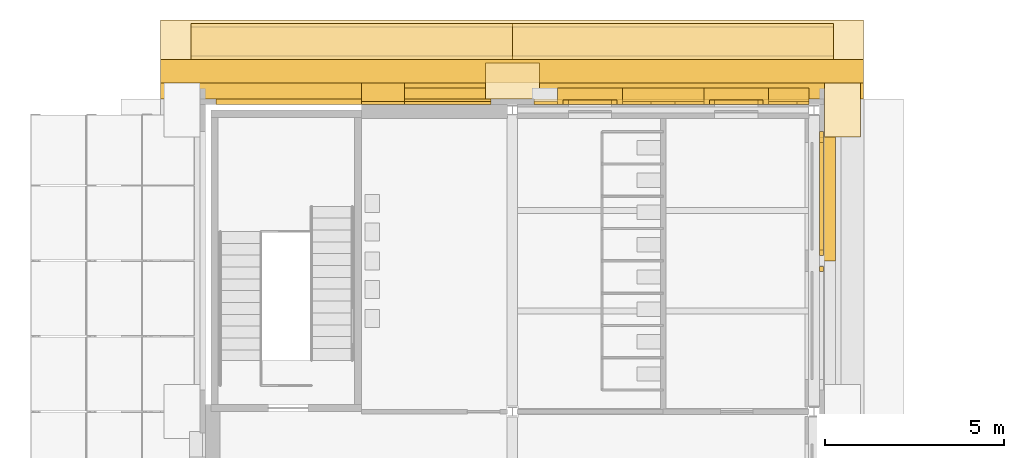
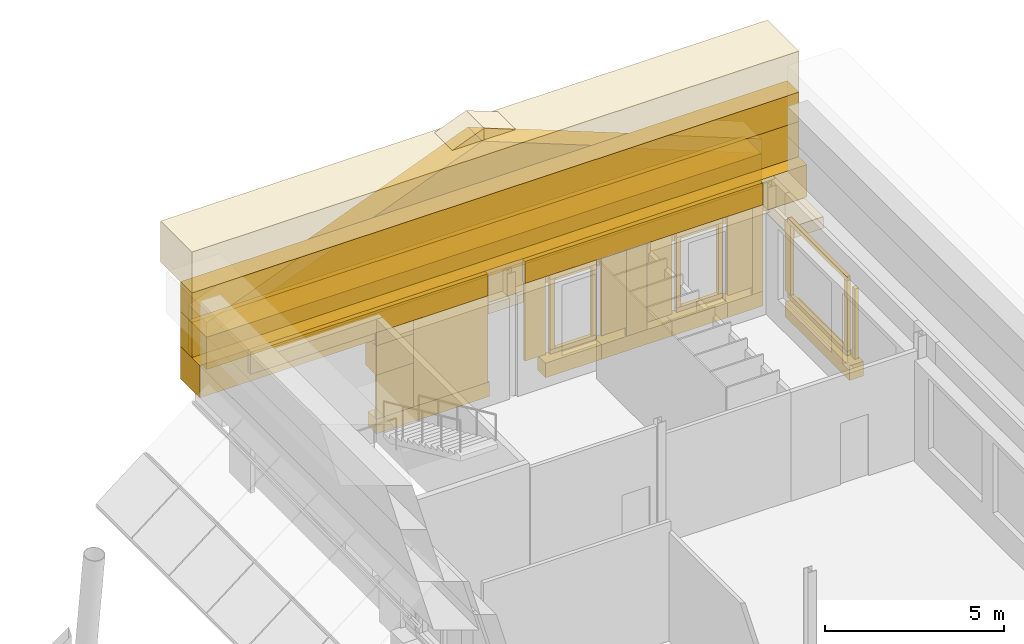
# One storey, part 73 of 76: 41 coverings.
"""IFC4 building model written with IfcOpenShell, lengths in metres."""

from ifc_helpers import new_model, si_unit, direction, frame, origin, origin_2d, place, context, subcontext, project, spatial, polyline, rectangle, outline, extrude, material, layer, layer_set, type_object, element, save


model = new_model("IFC4")

# Units and contexts
model_context = context("Model", 3, precision=1e-05, world=origin(), true_north=direction((0.0, 1.0)))
body_context = subcontext(model_context, "Body", "Model", "MODEL_VIEW")
ifc_project = project(units=[si_unit("LENGTHUNIT", "METRE"), si_unit("AREAUNIT", "SQUARE_METRE"), si_unit("VOLUMEUNIT", "CUBIC_METRE"), si_unit("PLANEANGLEUNIT", "RADIAN"), si_unit("MASSUNIT", "GRAM", prefix="KILO")], contexts=[model_context])

# Site, building, storey
site_placement = place(None, origin())
site = spatial("IfcSite", under=ifc_project, at=site_placement, CompositionType="ELEMENT")
building_placement = place(site_placement, origin())
building = spatial("IfcBuilding", under=site, at=building_placement, Name="Sava Quay Ferry Terminal", CompositionType="ELEMENT")
storey_placement = place(building_placement, frame((0.0, 0.0, 10.800048828125)))
storey = spatial("IfcBuildingStorey", under=building, at=storey_placement, Name="L02", CompositionType="ELEMENT", Elevation=10.800048828125)

# Coverings
ifc_material_1 = material(Name="Limestone Mutalj", Category="masonry")
ifc_layer_1 = layer(ifc_material_1, 1.75)
ifc_layer_set_1 = layer_set([ifc_layer_1], Name="Limestone Mutalj")
covering_type_1 = type_object("IfcCoveringType", Name="Attic crown cornice 1400", PredefinedType="MOLDING", material=ifc_layer_set_1)
covering_1_placement = place(storey_placement, frame((100.7900390625, 110.8349609375, 6.39990234375), z_axis=(0.0, 0.0, 1.0), x_axis=(1.0, 0.0, 0.0)))
element("IfcCovering", 1, at=covering_1_placement, inside=storey, type_object=covering_type_1, Name="Attic crown cornice", PredefinedType="MOLDING", context=body_context, shape_type="SweptSolid", body=[
    extrude(rectangle(XDim=19.580078125, YDim=1.75, at=origin_2d()), origin(), (0.0, 0.0, 1.0), 1.39990234375),
])
ifc_material_2 = material(Name="Limestone Mutalj", Category="masonry")
ifc_layer_2 = layer(ifc_material_2, 0.64990234375)
ifc_layer_set_2 = layer_set([ifc_layer_2], Name="Limestone Mutalj")
covering_type_2 = type_object("IfcCoveringType", Name="Attic frieze 1000", PredefinedType="CLADDING", material=ifc_layer_set_2)
covering_2_placement = place(storey_placement, frame((100.7900390625, 110.284912109375, 5.39990234375), z_axis=(0.0, 0.0, 1.0), x_axis=(1.0, 0.0, 0.0)))
element("IfcCovering", 2, at=covering_2_placement, inside=storey, type_object=covering_type_2, Name="Attic frieze", PredefinedType="CLADDING", context=body_context, shape_type="SweptSolid", body=[
    extrude(rectangle(XDim=19.580078125, YDim=0.64990234375, at=origin_2d()), origin(), (0.0, 0.0, 1.0), 1.0),
])
ifc_material_3 = material(Name="Limestone Mutalj", Category="masonry")
ifc_layer_3 = layer(ifc_material_3, 0.64990234375)
ifc_layer_set_3 = layer_set([ifc_layer_3], Name="Limestone Mutalj")
covering_type_3 = type_object("IfcCoveringType", Name="Attic parapet 650", PredefinedType="MOLDING", material=ifc_layer_set_3)
covering_3_placement = place(storey_placement, frame((100.7900390625, 110.284912109375, 4.2001953125), z_axis=(0.0, 0.0, 1.0), x_axis=(1.0, 0.0, 0.0)))
element("IfcCovering", 3, at=covering_3_placement, inside=storey, type_object=covering_type_3, Name="Attic parapet O N", PredefinedType="MOLDING", context=body_context, shape_type="SweptSolid", body=[
    extrude(rectangle(XDim=19.580078125, YDim=0.64990234375, at=origin_2d()), origin(), (0.0, 0.0, 1.0), 1.199951171875),
])
ifc_material_4 = material(Name="Limestone Mutalj", Category="masonry")
ifc_layer_4 = layer(ifc_material_4, 0.60009765625)
ifc_layer_set_4 = layer_set([ifc_layer_4], Name="Limestone Mutalj")
covering_type_4 = type_object("IfcCoveringType", Name="Corner quoin block 1200", PredefinedType="CLADDING", material=ifc_layer_set_4)
covering_4_placement = place(storey_placement, frame((97.199951171875, 109.659912109375, 2.0), z_axis=(0.0, 0.0, 1.0), x_axis=(1.0, 0.0, 0.0)))
element("IfcCovering", 4, at=covering_4_placement, inside=storey, type_object=covering_type_4, Name="Corner quoin block", PredefinedType="CLADDING", context=body_context, shape_type="SweptSolid", body=[
    extrude(rectangle(XDim=1.199951171875, YDim=0.60009765625, at=origin_2d()), origin(), (0.0, 0.0, 1.0), 1.0),
])
ifc_material_5 = material(Name="Limestone Mutalj", Category="masonry")
ifc_layer_5 = layer(ifc_material_5, 1.10009765625)
ifc_layer_set_5 = layer_set([ifc_layer_5], Name="Limestone Mutalj")
covering_type_5 = type_object("IfcCoveringType", Name="Eaves cornice 1100", PredefinedType="MOLDING", material=ifc_layer_set_5)
covering_5_placement = place(storey_placement, frame((100.7900390625, 110.06005859375, 3.099853515625), z_axis=(0.0, 0.0, 1.0), x_axis=(1.0, 0.0, 0.0)))
element("IfcCovering", 5, at=covering_5_placement, inside=storey, type_object=covering_type_5, Name="Eaves cornice O N", PredefinedType="MOLDING", context=body_context, shape_type="SweptSolid", body=[
    extrude(rectangle(XDim=19.580078125, YDim=1.10009765625, at=origin_2d()), origin(), (0.0, 0.0, 1.0), 1.10009765625),
])
ifc_material_6 = material(Name="Limestone Mutalj", Category="masonry")
ifc_layer_6 = layer(ifc_material_6, 0.080078125)
ifc_layer_set_6 = layer_set([ifc_layer_6], Name="Limestone Mutalj")
covering_type_6 = type_object("IfcCoveringType", Name="Light stone cladding 80", PredefinedType="CLADDING", material=ifc_layer_set_6)
covering_6_placement = place(storey_placement, frame((97.199951171875, 109.39990234375, 0.5), z_axis=(0.0, 0.0, 1.0), x_axis=(1.0, 0.0, 0.0)))
element("IfcCovering", 6, at=covering_6_placement, inside=storey, type_object=covering_type_6, Name="Light stone cladding", PredefinedType="CLADDING", context=body_context, shape_type="SweptSolid", body=[
    extrude(rectangle(XDim=1.199951171875, YDim=0.080078125, at=origin_2d()), origin(), (0.0, 0.0, 1.0), 1.5),
])
covering_7_placement = place(storey_placement, frame((97.199951171875, 109.39990234375, 3.0), z_axis=(0.0, 0.0, 1.0), x_axis=(1.0, 0.0, 0.0)))
element("IfcCovering", 7, at=covering_7_placement, inside=storey, type_object=covering_type_6, Name="Light stone cladding", PredefinedType="CLADDING", context=body_context, shape_type="SweptSolid", body=[
    extrude(rectangle(XDim=1.199951171875, YDim=0.080078125, at=origin_2d()), origin(), (0.0, 0.0, 1.0), 0.449951171875),
])
covering_8_placement = place(storey_placement, frame((99.0, 109.39990234375, 0.5), z_axis=(0.0, 0.0, 1.0), x_axis=(1.0, 0.0, 0.0)))
element("IfcCovering", 8, at=covering_8_placement, inside=storey, type_object=covering_type_6, Name="Light stone cladding", PredefinedType="CLADDING", context=body_context, shape_type="SweptSolid", body=[
    extrude(rectangle(XDim=2.39990234375, YDim=0.080078125, at=origin_2d()), origin(), (0.0, 0.0, 1.0), 2.949951171875),
])
covering_9_placement = place(storey_placement, frame((101.731201171875, 109.39990234375, 0.800048828125), z_axis=(0.0, 0.0, 1.0), x_axis=(1.0, 0.0, 0.0)))
element("IfcCovering", 9, at=covering_9_placement, inside=storey, type_object=covering_type_6, Name="Light stone cladding", PredefinedType="CLADDING", context=body_context, shape_type="SweptSolid", body=[
    extrude(rectangle(XDim=0.66259765625, YDim=0.080078125, at=origin_2d()), origin(), (0.0, 0.0, 1.0), 2.64990234375),
])
covering_10_placement = place(storey_placement, frame((104.265625, 109.39990234375, 0.800048828125), z_axis=(0.0, 0.0, 1.0), x_axis=(1.0, 0.0, 0.0)))
element("IfcCovering", 10, at=covering_10_placement, inside=storey, type_object=covering_type_6, Name="Light stone cladding", PredefinedType="CLADDING", context=body_context, shape_type="SweptSolid", body=[
    extrude(rectangle(XDim=0.80615234375, YDim=0.080078125, at=origin_2d()), origin(), (0.0, 0.0, 1.0), 2.64990234375),
])
covering_11_placement = place(storey_placement, frame((105.0, 109.39990234375, 0.5), z_axis=(0.0, 0.0, 1.0), x_axis=(1.0, 0.0, 0.0)))
element("IfcCovering", 11, at=covering_11_placement, inside=storey, type_object=covering_type_6, Name="Light stone cladding", PredefinedType="CLADDING", context=body_context, shape_type="SweptSolid", body=[
    extrude(rectangle(XDim=0.66259765625, YDim=0.080078125, at=origin_2d()), origin(), (0.0, 0.0, 1.0), 2.949951171875),
])
covering_12_placement = place(storey_placement, frame((105.734375, 109.39990234375, 0.75), z_axis=(0.0, 0.0, 1.0), x_axis=(1.0, 0.0, 0.0)))
element("IfcCovering", 12, at=covering_12_placement, inside=storey, type_object=covering_type_6, Name="Light stone cladding", PredefinedType="CLADDING", context=body_context, shape_type="SweptSolid", body=[
    extrude(rectangle(XDim=0.80615234375, YDim=0.080078125, at=origin_2d()), origin(), (0.0, 0.0, 1.0), 2.699951171875),
])
covering_13_placement = place(storey_placement, frame((108.33447265625, 109.39990234375, 0.75), z_axis=(0.0, 0.0, 1.0), x_axis=(1.0, 0.0, 0.0)))
element("IfcCovering", 13, at=covering_13_placement, inside=storey, type_object=covering_type_6, Name="Light stone cladding", PredefinedType="CLADDING", context=body_context, shape_type="SweptSolid", body=[
    extrude(rectangle(XDim=0.793701171875, YDim=0.080078125, at=origin_2d()), origin(), (0.0, 0.0, 1.0), 2.699951171875),
])
covering_14_placement = place(storey_placement, frame((108.900634765625, 109.39990234375, 0.5), z_axis=(0.0, 0.0, 1.0), x_axis=(1.0, 0.0, 0.0)))
element("IfcCovering", 14, at=covering_14_placement, inside=storey, type_object=covering_type_6, Name="Light stone cladding", PredefinedType="CLADDING", context=body_context, shape_type="SweptSolid", body=[
    extrude(rectangle(XDim=0.338623046875, YDim=0.080078125, at=origin_2d()), origin(), (0.0, 0.0, 1.0), 2.949951171875),
])
ifc_material_7 = material(Name="Limestone Mutalj", Category="masonry")
ifc_layer_7 = layer(ifc_material_7, 0.14990234375)
ifc_layer_set_7 = layer_set([ifc_layer_7], Name="Limestone Mutalj")
covering_type_7 = type_object("IfcCoveringType", Name="Limestone string course 150", PredefinedType="CLADDING", material=ifc_layer_set_7)
covering_15_placement = place(storey_placement, frame((0.0, 0.0, 3.449951171875)))
element("IfcCovering", 15, at=covering_15_placement, inside=storey, type_object=covering_type_7, Name="String course O-N", PredefinedType="CLADDING", context=body_context, shape_type="SweptSolid", body=[
    extrude(outline(polyline([(92.550048828125, 109.360107421875), (100.199951171875, 109.360107421875), (100.199951171875, 109.510009765625), (92.550048828125, 109.510009765625), (92.550048828125, 109.360107421875)])), origin(), (0.0, 0.0, 1.0), 0.75),
])
covering_16_placement = place(storey_placement, frame((0.0, 0.0, 3.449951171875)))
element("IfcCovering", 16, at=covering_16_placement, inside=storey, type_object=covering_type_7, Name="String course O-N", PredefinedType="CLADDING", context=body_context, shape_type="SweptSolid", body=[
    extrude(outline(polyline([(101.39990234375, 109.360107421875), (109.070068359375, 109.360107421875), (109.070068359375, 109.510009765625), (101.39990234375, 109.510009765625), (101.39990234375, 109.360107421875)])), origin(), (0.0, 0.0, 1.0), 0.75),
])
ifc_material_8 = material(Name="Limestone Mutalj", Category="masonry")
ifc_layer_8 = layer(ifc_material_8, 1.0)
ifc_layer_set_8 = layer_set([ifc_layer_8], Name="Limestone Mutalj")
covering_type_8 = type_object("IfcCoveringType", Name="Pilaster capital block 1500", PredefinedType="MOLDING", material=ifc_layer_set_8)
covering_17_placement = place(storey_placement, frame((110.0, 109.199951171875, 2.699951171875), z_axis=(0.0, 0.0, 1.0), x_axis=(1.0, 0.0, 0.0)))
element("IfcCovering", 17, at=covering_17_placement, inside=storey, type_object=covering_type_8, Name="Giant-order capital", PredefinedType="MOLDING", context=body_context, shape_type="SweptSolid", body=[
    extrude(rectangle(XDim=1.0, YDim=1.5, at=origin_2d()), origin(), (0.0, 0.0, 1.0), 0.39990234375),
])
covering_18_placement = place(storey_placement, frame((100.800048828125, 110.010009765625, 2.699951171875), z_axis=(0.0, 0.0, 1.0), x_axis=(1.0, 0.0, 0.0)))
element("IfcCovering", 18, at=covering_18_placement, inside=storey, type_object=covering_type_8, Name="Giant-order capital", PredefinedType="MOLDING", context=body_context, shape_type="SweptSolid", body=[
    extrude(rectangle(XDim=1.5, YDim=1.0, at=origin_2d()), origin(), (0.0, 0.0, 1.0), 0.39990234375),
])
ifc_material_9 = material(Name="Limestone Mutalj", Category="masonry")
ifc_layer_9 = layer(ifc_material_9, 0.1201171875)
ifc_layer_set_9 = layer_set([ifc_layer_9], Name="Limestone Mutalj")
covering_type_9 = type_object("IfcCoveringType", Name="Plain window architrave 150", PredefinedType="MOLDING", material=ifc_layer_set_9)
for number, where, z_axis, x_axis, name in (
    (19, (109.409912109375, 104.77490234375, 0.89990234375), (0.0, 0.0, 1.0), (1.0, 0.0, 0.0), "Plain window architrave"),
    (20, (109.409912109375, 105.22509765625, 0.89990234375), (0.0, 0.0, 1.0), (1.0, 0.0, 0.0), "Plain window architrave"),
):
    element("IfcCovering", number, at=place(storey_placement, frame(where, z_axis=z_axis, x_axis=x_axis)), inside=storey, type_object=covering_type_9, Name=name, PredefinedType="MOLDING", context=body_context, shape_type="SweptSolid", body=[
        extrude(rectangle(XDim=0.1201171875, YDim=0.14990234375, at=origin_2d()), origin(), (0.0, 0.0, 1.0), 2.39990234375),
    ])
covering_19_placement = place(storey_placement, frame((109.409912109375, 108.449951171875, 0.89990234375), z_axis=(0.0, 0.0, 1.0), x_axis=(1.0, 0.0, 0.0)))
element("IfcCovering", 21, at=covering_19_placement, inside=storey, type_object=covering_type_9, Name="Plain window architrave", PredefinedType="MOLDING", context=body_context, shape_type="SweptSolid", body=[
    extrude(rectangle(XDim=0.1201171875, YDim=0.300048828125, at=origin_2d()), origin(), (0.0, 0.0, 1.0), 2.39990234375),
])
for number, where, z_axis, x_axis, name in (
    (22, (109.409912109375, 106.800048828125, 3.300048828125), (0.0, 0.0, 1.0), (1.0, 0.0, 0.0), "Plain window architrave"),
    (23, (109.409912109375, 106.800048828125, 0.75), (0.0, 0.0, 1.0), (1.0, 0.0, 0.0), "Plain window architrave"),
):
    element("IfcCovering", number, at=place(storey_placement, frame(where, z_axis=z_axis, x_axis=x_axis)), inside=storey, type_object=covering_type_9, Name=name, PredefinedType="MOLDING", context=body_context, shape_type="SweptSolid", body=[
        extrude(rectangle(XDim=0.1201171875, YDim=3.300048828125, at=origin_2d()), origin(), (0.0, 0.0, 1.0), 0.14990234375),
    ])
for number, where, z_axis, x_axis, name in (
    (24, (102.28759765625, 109.419921875, 0.89990234375), (0.0, 0.0, 1.0), (1.0, 0.0, 0.0), "Plain window architrave"),
    (25, (103.637451171875, 109.419921875, 0.89990234375), (0.0, 0.0, 1.0), (1.0, 0.0, 0.0), "Plain window architrave"),
):
    element("IfcCovering", number, at=place(storey_placement, frame(where, z_axis=z_axis, x_axis=x_axis)), inside=storey, type_object=covering_type_9, Name=name, PredefinedType="MOLDING", context=body_context, shape_type="SweptSolid", body=[
        extrude(rectangle(XDim=0.14990234375, YDim=0.1201171875, at=origin_2d()), origin(), (0.0, 0.0, 1.0), 2.39990234375),
    ])
for number, where, z_axis, x_axis, name in (
    (26, (102.96240234375, 109.419921875, 3.300048828125), (0.0, 0.0, 1.0), (1.0, 0.0, 0.0), "Plain window architrave"),
    (27, (102.96240234375, 109.419921875, 0.75), (0.0, 0.0, 1.0), (1.0, 0.0, 0.0), "Plain window architrave"),
):
    element("IfcCovering", number, at=place(storey_placement, frame(where, z_axis=z_axis, x_axis=x_axis)), inside=storey, type_object=covering_type_9, Name=name, PredefinedType="MOLDING", context=body_context, shape_type="SweptSolid", body=[
        extrude(rectangle(XDim=1.5, YDim=0.1201171875, at=origin_2d()), origin(), (0.0, 0.0, 1.0), 0.14990234375),
    ])
for number, where, z_axis, x_axis, name in (
    (28, (106.362548828125, 109.419921875, 0.89990234375), (0.0, 0.0, 1.0), (1.0, 0.0, 0.0), "Plain window architrave"),
    (29, (107.71240234375, 109.419921875, 0.89990234375), (0.0, 0.0, 1.0), (1.0, 0.0, 0.0), "Plain window architrave"),
):
    element("IfcCovering", number, at=place(storey_placement, frame(where, z_axis=z_axis, x_axis=x_axis)), inside=storey, type_object=covering_type_9, Name=name, PredefinedType="MOLDING", context=body_context, shape_type="SweptSolid", body=[
        extrude(rectangle(XDim=0.14990234375, YDim=0.1201171875, at=origin_2d()), origin(), (0.0, 0.0, 1.0), 2.39990234375),
    ])
for number, where, z_axis, x_axis, name in (
    (30, (107.03759765625, 109.419921875, 3.300048828125), (0.0, 0.0, 1.0), (1.0, 0.0, 0.0), "Plain window architrave"),
    (31, (107.03759765625, 109.419921875, 0.75), (0.0, 0.0, 1.0), (1.0, 0.0, 0.0), "Plain window architrave"),
):
    element("IfcCovering", number, at=place(storey_placement, frame(where, z_axis=z_axis, x_axis=x_axis)), inside=storey, type_object=covering_type_9, Name=name, PredefinedType="MOLDING", context=body_context, shape_type="SweptSolid", body=[
        extrude(rectangle(XDim=1.5, YDim=0.1201171875, at=origin_2d()), origin(), (0.0, 0.0, 1.0), 0.14990234375),
    ])
ifc_material_10 = material(Name="Limestone Mutalj", Category="masonry")
ifc_layer_10 = layer(ifc_material_10, 1.0)
ifc_layer_set_10 = layer_set([ifc_layer_10], Name="Limestone Mutalj")
covering_type_10 = type_object("IfcCoveringType", Name="Portico entablature 1000", PredefinedType="MOLDING", material=ifc_layer_set_10)
covering_20_placement = place(storey_placement, frame((100.800048828125, 111.110107421875, 3.099853515625), z_axis=(0.0, 0.0, 1.0), x_axis=(1.0, 0.0, 0.0)))
element("IfcCovering", 32, at=covering_20_placement, inside=storey, type_object=covering_type_10, Name="Portico entablature", PredefinedType="MOLDING", context=body_context, shape_type="SweptSolid", body=[
    extrude(rectangle(XDim=17.89990234375, YDim=1.0, at=origin_2d()), origin(), (0.0, 0.0, 1.0), 1.10009765625),
])
ifc_material_11 = material(Name="Limestone Mutalj", Category="masonry")
ifc_layer_11 = layer(ifc_material_11, 0.800048828125)
ifc_layer_set_11 = layer_set([ifc_layer_11], Name="Limestone Mutalj")
covering_type_11 = type_object("IfcCoveringType", Name="Portico pediment tympanum 800", PredefinedType="CLADDING", material=ifc_layer_set_11)
covering_21_placement = place(storey_placement, frame((91.85009765625, 110.7099609375, 4.199951171875), z_axis=(0.0, -1.0, 0.0), x_axis=(1.0, 0.0, 0.0)))
element("IfcCovering", 33, at=covering_21_placement, inside=storey, type_object=covering_type_11, Name="Portico pediment", PredefinedType="CLADDING", context=body_context, shape_type="SweptSolid", body=[
    extrude(outline(polyline([(0.0, 0.0), (17.89990234375, 0.0), (8.949951171875, 3.5), (0.0, 0.0)])), origin(), (0.0, 0.0, -1.0), 0.800048828125),
])
ifc_material_12 = material(Name="Limestone Mutalj", Category="masonry")
ifc_layer_12 = layer(ifc_material_12, 1.0)
ifc_layer_set_12 = layer_set([ifc_layer_12], Name="Limestone Mutalj")
covering_type_12 = type_object("IfcCoveringType", Name="Portico raking cornice 1000", PredefinedType="MOLDING", material=ifc_layer_set_12)
covering_22_placement = place(storey_placement, frame((91.85009765625, 110.610107421875, 4.199951171875), z_axis=(0.0, -1.0, 0.0), x_axis=(0.931318849213, 0.0, 0.364204888903)))
element("IfcCovering", 34, at=covering_22_placement, inside=storey, type_object=covering_type_12, Name="Portico raking cornice", PredefinedType="MOLDING", context=body_context, shape_type="SweptSolid", body=[
    extrude(outline(polyline([(0.0, 0.0), (9.609975337062354, 0.0), (9.792077781514095, 0.46565942460633236), (0.1821024444517412, 0.46565942460633236), (0.0, 0.0)])), origin(), (0.0, 0.0, -1.0), 1.0),
])
covering_23_placement = place(storey_placement, frame((100.800048828125, 110.610107421875, 7.699951171875), z_axis=(0.0, -1.0, 0.0), x_axis=(0.931318849213, 0.0, -0.364204888903)))
element("IfcCovering", 35, at=covering_23_placement, inside=storey, type_object=covering_type_12, Name="Portico raking cornice", PredefinedType="MOLDING", context=body_context, shape_type="SweptSolid", body=[
    extrude(outline(polyline([(0.0, 0.0), (9.609975337062354, 0.0), (9.427872892610614, 0.46565942460633236), (-0.1821024444517412, 0.46565942460633236), (0.0, 0.0)])), origin(), (0.0, 0.0, -1.0), 1.0),
])
ifc_material_13 = material(Name="Limestone Mutalj", Category="masonry")
ifc_layer_13 = layer(ifc_material_13, 0.449951171875)
ifc_layer_set_13 = layer_set([ifc_layer_13], Name="Limestone Mutalj")
covering_type_13 = type_object("IfcCoveringType", Name="Projecting string course 500", PredefinedType="MOLDING", material=ifc_layer_set_13)
covering_24_placement = place(storey_placement, frame((109.574951171875, 106.800048828125, 0.0), z_axis=(0.0, 0.0, 1.0), x_axis=(1.0, 0.0, 0.0)))
element("IfcCovering", 36, at=covering_24_placement, inside=storey, type_object=covering_type_13, Name="Projecting string course", PredefinedType="MOLDING", context=body_context, shape_type="SweptSolid", body=[
    extrude(rectangle(XDim=0.449951171875, YDim=3.60009765625, at=origin_2d()), origin(), (0.0, 0.0, 1.0), 0.5),
])
covering_25_placement = place(storey_placement, frame((98.425048828125, 109.5849609375, 0.0), z_axis=(0.0, 0.0, 1.0), x_axis=(1.0, 0.0, 0.0)))
element("IfcCovering", 37, at=covering_25_placement, inside=storey, type_object=covering_type_13, Name="Projecting string course", PredefinedType="MOLDING", context=body_context, shape_type="SweptSolid", body=[
    extrude(rectangle(XDim=3.64990234375, YDim=0.449951171875, at=origin_2d()), origin(), (0.0, 0.0, 1.0), 0.5),
])
covering_26_placement = place(storey_placement, frame((102.96240234375, 109.5849609375, 0.0), z_axis=(0.0, 0.0, 1.0), x_axis=(1.0, 0.0, 0.0)))
element("IfcCovering", 38, at=covering_26_placement, inside=storey, type_object=covering_type_13, Name="Projecting string course", PredefinedType="MOLDING", context=body_context, shape_type="SweptSolid", body=[
    extrude(rectangle(XDim=1.800048828125, YDim=0.449951171875, at=origin_2d()), origin(), (0.0, 0.0, 1.0), 0.5),
])
covering_27_placement = place(storey_placement, frame((105.0, 109.5849609375, 0.0), z_axis=(0.0, 0.0, 1.0), x_axis=(1.0, 0.0, 0.0)))
element("IfcCovering", 39, at=covering_27_placement, inside=storey, type_object=covering_type_13, Name="Projecting string course", PredefinedType="MOLDING", context=body_context, shape_type="SweptSolid", body=[
    extrude(rectangle(XDim=2.27490234375, YDim=0.449951171875, at=origin_2d()), origin(), (0.0, 0.0, 1.0), 0.5),
])
covering_28_placement = place(storey_placement, frame((107.03759765625, 109.5849609375, 0.0), z_axis=(0.0, 0.0, 1.0), x_axis=(1.0, 0.0, 0.0)))
element("IfcCovering", 40, at=covering_28_placement, inside=storey, type_object=covering_type_13, Name="Projecting string course", PredefinedType="MOLDING", context=body_context, shape_type="SweptSolid", body=[
    extrude(rectangle(XDim=1.800048828125, YDim=0.449951171875, at=origin_2d()), origin(), (0.0, 0.0, 1.0), 0.5),
])
covering_29_placement = place(storey_placement, frame((108.503662109375, 109.5849609375, 0.0), z_axis=(0.0, 0.0, 1.0), x_axis=(1.0, 0.0, 0.0)))
element("IfcCovering", 41, at=covering_29_placement, inside=storey, type_object=covering_type_13, Name="Projecting string course", PredefinedType="MOLDING", context=body_context, shape_type="SweptSolid", body=[
    extrude(rectangle(XDim=1.132568359375, YDim=0.449951171875, at=origin_2d()), origin(), (0.0, 0.0, 1.0), 0.5),
])

save(model, "model.ifc")
